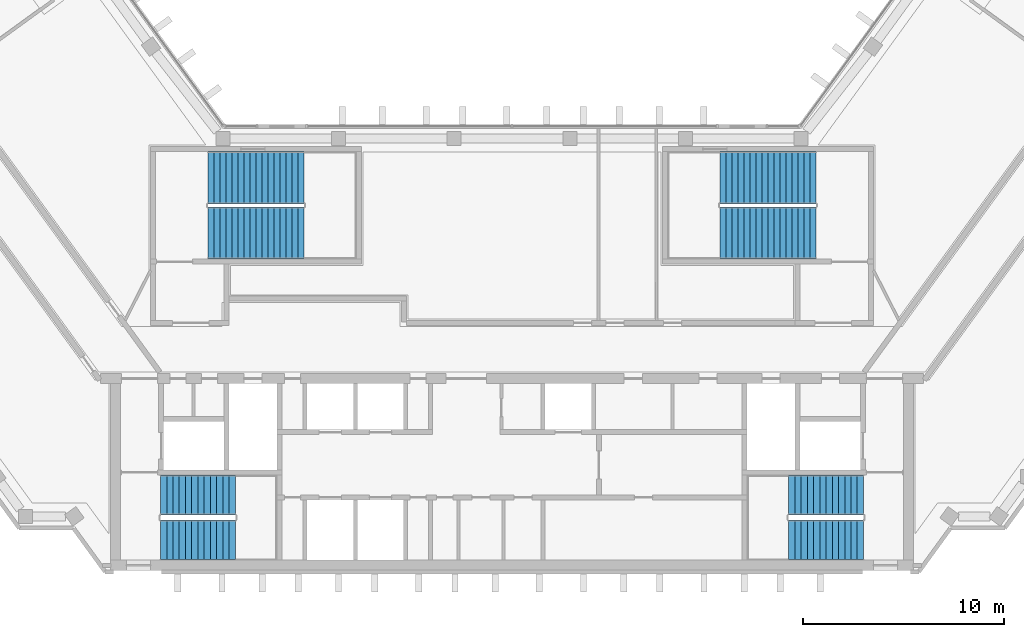
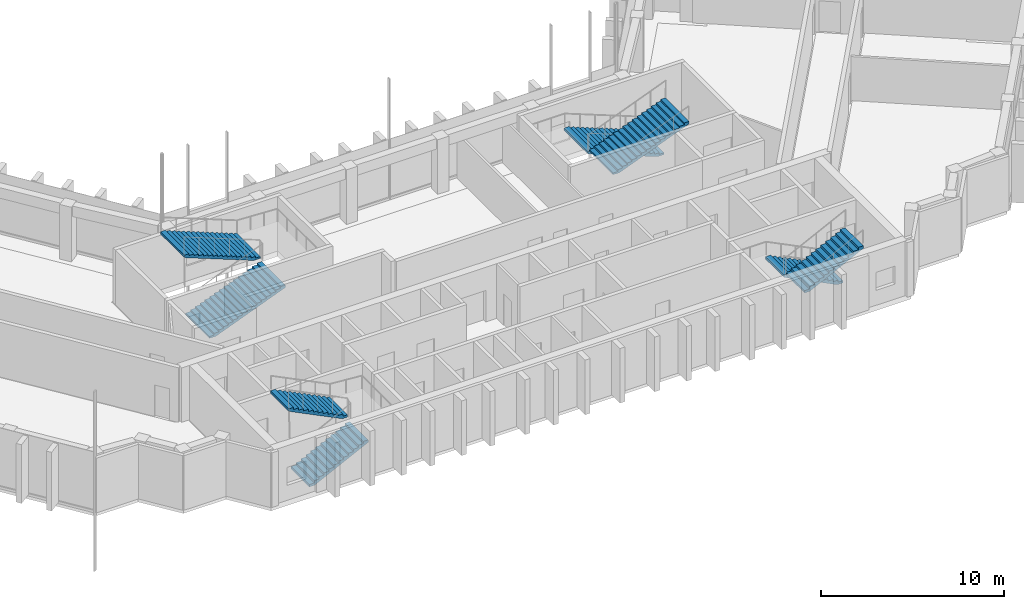
# One storey, part 11 of 13: 8 stair flights, 4 elements without a shape of their own.
"""IFC4 building model written with IfcOpenShell, lengths in metres."""

from ifc_helpers import new_model, si_unit, direction, frame, origin, place, context, subcontext, project, spatial, polyline, outline, extrude, material, type_object, element, aggregate, save


model = new_model("IFC4")

# Units and contexts
model_context = context("Model", 3, precision=1e-05, world=origin(), true_north=direction((0.0, 1.0)))
body_context = subcontext(model_context, "Body", "Model", "MODEL_VIEW")
ifc_project = project(units=[si_unit("LENGTHUNIT", "METRE"), si_unit("AREAUNIT", "SQUARE_METRE"), si_unit("VOLUMEUNIT", "CUBIC_METRE"), si_unit("PLANEANGLEUNIT", "RADIAN"), si_unit("MASSUNIT", "GRAM", prefix="KILO")], contexts=[model_context])

# Site, building, storey
site_placement = place(None, origin())
site = spatial("IfcSite", under=ifc_project, at=site_placement, CompositionType="ELEMENT")
building_placement = place(site_placement, origin())
building = spatial("IfcBuilding", under=site, at=building_placement, Name="Quipu Civic Tower", CompositionType="ELEMENT")
storey_placement = place(building_placement, frame((0.0, 0.0, 347.0)))
storey = spatial("IfcBuildingStorey", under=building, at=storey_placement, Name="L81", CompositionType="ELEMENT", Elevation=347.0)

# Stair, stair flights
ifc_material_1 = material(Name="Concrete C40/50", Category="concrete")
stair_type_1 = type_object("IfcStairType", Name="Half turn stair 2000", PredefinedType="HALF_TURN_STAIR", material=ifc_material_1)
stair_1_placement = place(storey_placement, origin())
stair_1 = element("IfcStair", 1, at=stair_1_placement, inside=storey, type_object=stair_type_1, Name="Exit stair 1", PredefinedType="HALF_TURN_STAIR")
ifc_material_2 = material(Name="Concrete C40/50", Category="concrete")
stair_flight_type_1 = type_object("IfcStairFlightType", Name="Stair flight 2000", PredefinedType="STRAIGHT", material=ifc_material_2)
stair_flight_1_placement = place(storey_placement, frame((-17.5, -9.5, 0.0), z_axis=(0.0, 0.0, 1.0), x_axis=(1.0, 0.0, 0.0)))
stair_flight_1 = element("IfcStairFlight", 2, at=stair_flight_1_placement, type_object=stair_flight_type_1, Name="ST-1 flight 1", NumberOfRisers=13, NumberOfTreads=12, PredefinedType="STRAIGHT", RiserHeight=0.153846154, TreadLength=0.31, context=body_context, shape_type="SweptSolid", body=[
    extrude(outline(polyline([(0.0, 0.0), (0.0, 0.15380859375), (0.31005859375, 0.15380859375), (0.31005859375, 0.3076171875), (0.6201171875, 0.3076171875), (0.6201171875, 0.46142578125), (0.929931640625, 0.46142578125), (0.929931640625, 0.615478515625), (1.239990234375, 0.615478515625), (1.239990234375, 0.769287109375), (1.550048828125, 0.769287109375), (1.550048828125, 0.923095703125), (1.860107421875, 0.923095703125), (1.860107421875, 1.076904296875), (2.169921875, 1.076904296875), (2.169921875, 1.230712890625), (2.47998046875, 1.230712890625), (2.47998046875, 1.384521484375), (2.7900390625, 1.384521484375), (2.7900390625, 1.53857421875), (3.10009765625, 1.53857421875), (3.10009765625, 1.6923828125), (3.409912109375, 1.6923828125), (3.409912109375, 1.84619140625), (3.719970703125, 1.84619140625), (3.719970703125, 2.0), (3.719970703125, 1.6787109375), (0.337158203125, 0.0), (0.0, 0.0)])), frame((0.0, 1.0, 0.0), z_axis=(0.0, -1.0, 0.0), x_axis=(1.0, 0.0, 0.0)), (0.0, 0.0, 1.0), 2.0),
])
stair_flight_2_placement = place(storey_placement, frame((-13.780029296875, -7.25, 2.0), z_axis=(0.0, 0.0, 1.0), x_axis=(-1.0, 0.0, 0.0)))
stair_flight_2 = element("IfcStairFlight", 3, at=stair_flight_2_placement, type_object=stair_flight_type_1, Name="ST-1 flight 2", NumberOfRisers=13, NumberOfTreads=12, PredefinedType="STRAIGHT", RiserHeight=0.153846154, TreadLength=0.31, context=body_context, shape_type="SweptSolid", body=[
    extrude(outline(polyline([(0.0, 0.0), (0.0, 0.15380859375), (0.31005859375, 0.15380859375), (0.31005859375, 0.3076171875), (0.6201171875, 0.3076171875), (0.6201171875, 0.46142578125), (0.929931640625, 0.46142578125), (0.929931640625, 0.615478515625), (1.239990234375, 0.615478515625), (1.239990234375, 0.769287109375), (1.550048828125, 0.769287109375), (1.550048828125, 0.923095703125), (1.860107421875, 0.923095703125), (1.860107421875, 1.076904296875), (2.169921875, 1.076904296875), (2.169921875, 1.230712890625), (2.47998046875, 1.230712890625), (2.47998046875, 1.384521484375), (2.7900390625, 1.384521484375), (2.7900390625, 1.53857421875), (3.10009765625, 1.53857421875), (3.10009765625, 1.6923828125), (3.409912109375, 1.6923828125), (3.409912109375, 1.84619140625), (3.719970703125, 1.84619140625), (3.719970703125, 2.0), (3.719970703125, 1.6787109375), (0.337158203125, 0.0), (0.0, 0.0)])), frame((0.0, 1.0, 0.0), z_axis=(0.0, -1.0, 0.0), x_axis=(1.0, 0.0, 0.0)), (0.0, 0.0, 1.0), 2.0),
])
aggregate(stair_1, [stair_flight_1, stair_flight_2])

stair_2_placement = place(storey_placement, origin())
stair_2 = element("IfcStair", 4, at=stair_2_placement, inside=storey, type_object=stair_type_1, Name="Exit stair 2", PredefinedType="HALF_TURN_STAIR")
stair_flight_3_placement = place(storey_placement, frame((17.5, -7.25, 0.0), z_axis=(0.0, 0.0, 1.0), x_axis=(-1.0, 0.0, 0.0)))
stair_flight_3 = element("IfcStairFlight", 5, at=stair_flight_3_placement, type_object=stair_flight_type_1, Name="ST-2 flight 1", NumberOfRisers=13, NumberOfTreads=12, PredefinedType="STRAIGHT", RiserHeight=0.153846154, TreadLength=0.31, context=body_context, shape_type="SweptSolid", body=[
    extrude(outline(polyline([(0.0, 0.0), (0.0, 0.15380859375), (0.31005859375, 0.15380859375), (0.31005859375, 0.3076171875), (0.6201171875, 0.3076171875), (0.6201171875, 0.46142578125), (0.929931640625, 0.46142578125), (0.929931640625, 0.615478515625), (1.239990234375, 0.615478515625), (1.239990234375, 0.769287109375), (1.550048828125, 0.769287109375), (1.550048828125, 0.923095703125), (1.860107421875, 0.923095703125), (1.860107421875, 1.076904296875), (2.169921875, 1.076904296875), (2.169921875, 1.230712890625), (2.47998046875, 1.230712890625), (2.47998046875, 1.384521484375), (2.7900390625, 1.384521484375), (2.7900390625, 1.53857421875), (3.10009765625, 1.53857421875), (3.10009765625, 1.6923828125), (3.409912109375, 1.6923828125), (3.409912109375, 1.84619140625), (3.719970703125, 1.84619140625), (3.719970703125, 2.0), (3.719970703125, 1.6787109375), (0.337158203125, 0.0), (0.0, 0.0)])), frame((0.0, 1.0, 0.0), z_axis=(0.0, -1.0, 0.0), x_axis=(1.0, 0.0, 0.0)), (0.0, 0.0, 1.0), 2.0),
])
stair_flight_4_placement = place(storey_placement, frame((13.780029296875, -9.5, 2.0), z_axis=(0.0, 0.0, 1.0), x_axis=(1.0, 0.0, 0.0)))
stair_flight_4 = element("IfcStairFlight", 6, at=stair_flight_4_placement, type_object=stair_flight_type_1, Name="ST-2 flight 2", NumberOfRisers=13, NumberOfTreads=12, PredefinedType="STRAIGHT", RiserHeight=0.153846154, TreadLength=0.31, context=body_context, shape_type="SweptSolid", body=[
    extrude(outline(polyline([(0.0, 0.0), (0.0, 0.15380859375), (0.31005859375, 0.15380859375), (0.31005859375, 0.3076171875), (0.6201171875, 0.3076171875), (0.6201171875, 0.46142578125), (0.929931640625, 0.46142578125), (0.929931640625, 0.615478515625), (1.239990234375, 0.615478515625), (1.239990234375, 0.769287109375), (1.550048828125, 0.769287109375), (1.550048828125, 0.923095703125), (1.860107421875, 0.923095703125), (1.860107421875, 1.076904296875), (2.169921875, 1.076904296875), (2.169921875, 1.230712890625), (2.47998046875, 1.230712890625), (2.47998046875, 1.384521484375), (2.7900390625, 1.384521484375), (2.7900390625, 1.53857421875), (3.10009765625, 1.53857421875), (3.10009765625, 1.6923828125), (3.409912109375, 1.6923828125), (3.409912109375, 1.84619140625), (3.719970703125, 1.84619140625), (3.719970703125, 2.0), (3.719970703125, 1.6787109375), (0.337158203125, 0.0), (0.0, 0.0)])), frame((0.0, 1.0, 0.0), z_axis=(0.0, -1.0, 0.0), x_axis=(1.0, 0.0, 0.0)), (0.0, 0.0, 1.0), 2.0),
])
aggregate(stair_2, [stair_flight_3, stair_flight_4])

ifc_material_3 = material(Name="Concrete C40/50", Category="concrete")
stair_type_2 = type_object("IfcStairType", Name="Half turn stair 2600", PredefinedType="HALF_TURN_STAIR", material=ifc_material_3)
stair_3_placement = place(storey_placement, origin())
stair_3 = element("IfcStair", 7, at=stair_3_placement, inside=storey, type_object=stair_type_2, Name="Exit stair 3", PredefinedType="HALF_TURN_STAIR")
ifc_material_4 = material(Name="Concrete C40/50", Category="concrete")
stair_flight_type_2 = type_object("IfcStairFlightType", Name="Stair flight 2600", PredefinedType="STRAIGHT", material=ifc_material_4)
stair_flight_5_placement = place(storey_placement, frame((-15.14990234375, 5.800048828125, 0.0), z_axis=(0.0, 0.0, 1.0), x_axis=(1.0, 0.0, 0.0)))
stair_flight_5 = element("IfcStairFlight", 8, at=stair_flight_5_placement, type_object=stair_flight_type_2, Name="ST-3 flight 1", NumberOfRisers=17, NumberOfTreads=16, PredefinedType="STRAIGHT", RiserHeight=0.117647059, TreadLength=0.3, context=body_context, shape_type="SweptSolid", body=[
    extrude(outline(polyline([(0.0, 0.0), (0.0, 0.11767578125), (0.300048828125, 0.11767578125), (0.300048828125, 0.2353515625), (0.60009765625, 0.2353515625), (0.60009765625, 0.35302734375), (0.89990234375, 0.35302734375), (0.89990234375, 0.470703125), (1.199951171875, 0.470703125), (1.199951171875, 0.588134765625), (1.5, 0.588134765625), (1.5, 0.705810546875), (1.800048828125, 0.705810546875), (1.800048828125, 0.823486328125), (2.10009765625, 0.823486328125), (2.10009765625, 0.941162109375), (2.39990234375, 0.941162109375), (2.39990234375, 1.058837890625), (2.699951171875, 1.058837890625), (2.699951171875, 1.176513671875), (3.0, 1.176513671875), (3.0, 1.294189453125), (3.300048828125, 1.294189453125), (3.300048828125, 1.411865234375), (3.60009765625, 1.411865234375), (3.60009765625, 1.529296875), (3.89990234375, 1.529296875), (3.89990234375, 1.64697265625), (4.199951171875, 1.64697265625), (4.199951171875, 1.7646484375), (4.5, 1.7646484375), (4.5, 1.88232421875), (4.800048828125, 1.88232421875), (4.800048828125, 2.0), (4.800048828125, 1.721435546875), (0.41064453125, 0.0), (0.0, 0.0)])), frame((0.0, 1.300048828125, 0.0), z_axis=(0.0, -1.0, 0.0), x_axis=(1.0, 0.0, 0.0)), (0.0, 0.0, 1.0), 2.60009765625),
])
stair_flight_6_placement = place(storey_placement, frame((-10.35009765625, 8.550048828125, 2.0), z_axis=(0.0, 0.0, 1.0), x_axis=(-1.0, 0.0, 0.0)))
stair_flight_6 = element("IfcStairFlight", 9, at=stair_flight_6_placement, type_object=stair_flight_type_2, Name="ST-3 flight 2", NumberOfRisers=17, NumberOfTreads=16, PredefinedType="STRAIGHT", RiserHeight=0.117647059, TreadLength=0.3, context=body_context, shape_type="SweptSolid", body=[
    extrude(outline(polyline([(0.0, 0.0), (0.0, 0.11767578125), (0.300048828125, 0.11767578125), (0.300048828125, 0.2353515625), (0.60009765625, 0.2353515625), (0.60009765625, 0.35302734375), (0.89990234375, 0.35302734375), (0.89990234375, 0.470703125), (1.199951171875, 0.470703125), (1.199951171875, 0.588134765625), (1.5, 0.588134765625), (1.5, 0.705810546875), (1.800048828125, 0.705810546875), (1.800048828125, 0.823486328125), (2.10009765625, 0.823486328125), (2.10009765625, 0.941162109375), (2.39990234375, 0.941162109375), (2.39990234375, 1.058837890625), (2.699951171875, 1.058837890625), (2.699951171875, 1.176513671875), (3.0, 1.176513671875), (3.0, 1.294189453125), (3.300048828125, 1.294189453125), (3.300048828125, 1.411865234375), (3.60009765625, 1.411865234375), (3.60009765625, 1.529296875), (3.89990234375, 1.529296875), (3.89990234375, 1.64697265625), (4.199951171875, 1.64697265625), (4.199951171875, 1.7646484375), (4.5, 1.7646484375), (4.5, 1.88232421875), (4.800048828125, 1.88232421875), (4.800048828125, 2.0), (4.800048828125, 1.721435546875), (0.41064453125, 0.0), (0.0, 0.0)])), frame((0.0, 1.300048828125, 0.0), z_axis=(0.0, -1.0, 0.0), x_axis=(1.0, 0.0, 0.0)), (0.0, 0.0, 1.0), 2.60009765625),
])
aggregate(stair_3, [stair_flight_5, stair_flight_6])

stair_4_placement = place(storey_placement, origin())
stair_4 = element("IfcStair", 10, at=stair_4_placement, inside=storey, type_object=stair_type_2, Name="Exit stair 4", PredefinedType="HALF_TURN_STAIR")
stair_flight_7_placement = place(storey_placement, frame((15.14990234375, 8.550048828125, 0.0), z_axis=(0.0, 0.0, 1.0), x_axis=(-1.0, 0.0, 0.0)))
stair_flight_7 = element("IfcStairFlight", 11, at=stair_flight_7_placement, type_object=stair_flight_type_2, Name="ST-4 flight 1", NumberOfRisers=17, NumberOfTreads=16, PredefinedType="STRAIGHT", RiserHeight=0.117647059, TreadLength=0.3, context=body_context, shape_type="SweptSolid", body=[
    extrude(outline(polyline([(0.0, 0.0), (0.0, 0.11767578125), (0.300048828125, 0.11767578125), (0.300048828125, 0.2353515625), (0.60009765625, 0.2353515625), (0.60009765625, 0.35302734375), (0.89990234375, 0.35302734375), (0.89990234375, 0.470703125), (1.199951171875, 0.470703125), (1.199951171875, 0.588134765625), (1.5, 0.588134765625), (1.5, 0.705810546875), (1.800048828125, 0.705810546875), (1.800048828125, 0.823486328125), (2.10009765625, 0.823486328125), (2.10009765625, 0.941162109375), (2.39990234375, 0.941162109375), (2.39990234375, 1.058837890625), (2.699951171875, 1.058837890625), (2.699951171875, 1.176513671875), (3.0, 1.176513671875), (3.0, 1.294189453125), (3.300048828125, 1.294189453125), (3.300048828125, 1.411865234375), (3.60009765625, 1.411865234375), (3.60009765625, 1.529296875), (3.89990234375, 1.529296875), (3.89990234375, 1.64697265625), (4.199951171875, 1.64697265625), (4.199951171875, 1.7646484375), (4.5, 1.7646484375), (4.5, 1.88232421875), (4.800048828125, 1.88232421875), (4.800048828125, 2.0), (4.800048828125, 1.721435546875), (0.41064453125, 0.0), (0.0, 0.0)])), frame((0.0, 1.300048828125, 0.0), z_axis=(0.0, -1.0, 0.0), x_axis=(1.0, 0.0, 0.0)), (0.0, 0.0, 1.0), 2.60009765625),
])
stair_flight_8_placement = place(storey_placement, frame((10.35009765625, 5.800048828125, 2.0), z_axis=(0.0, 0.0, 1.0), x_axis=(1.0, 0.0, 0.0)))
stair_flight_8 = element("IfcStairFlight", 12, at=stair_flight_8_placement, type_object=stair_flight_type_2, Name="ST-4 flight 2", NumberOfRisers=17, NumberOfTreads=16, PredefinedType="STRAIGHT", RiserHeight=0.117647059, TreadLength=0.3, context=body_context, shape_type="SweptSolid", body=[
    extrude(outline(polyline([(0.0, 0.0), (0.0, 0.11767578125), (0.300048828125, 0.11767578125), (0.300048828125, 0.2353515625), (0.60009765625, 0.2353515625), (0.60009765625, 0.35302734375), (0.89990234375, 0.35302734375), (0.89990234375, 0.470703125), (1.199951171875, 0.470703125), (1.199951171875, 0.588134765625), (1.5, 0.588134765625), (1.5, 0.705810546875), (1.800048828125, 0.705810546875), (1.800048828125, 0.823486328125), (2.10009765625, 0.823486328125), (2.10009765625, 0.941162109375), (2.39990234375, 0.941162109375), (2.39990234375, 1.058837890625), (2.699951171875, 1.058837890625), (2.699951171875, 1.176513671875), (3.0, 1.176513671875), (3.0, 1.294189453125), (3.300048828125, 1.294189453125), (3.300048828125, 1.411865234375), (3.60009765625, 1.411865234375), (3.60009765625, 1.529296875), (3.89990234375, 1.529296875), (3.89990234375, 1.64697265625), (4.199951171875, 1.64697265625), (4.199951171875, 1.7646484375), (4.5, 1.7646484375), (4.5, 1.88232421875), (4.800048828125, 1.88232421875), (4.800048828125, 2.0), (4.800048828125, 1.721435546875), (0.41064453125, 0.0), (0.0, 0.0)])), frame((0.0, 1.300048828125, 0.0), z_axis=(0.0, -1.0, 0.0), x_axis=(1.0, 0.0, 0.0)), (0.0, 0.0, 1.0), 2.60009765625),
])
aggregate(stair_4, [stair_flight_7, stair_flight_8])

save(model, "model.ifc")
